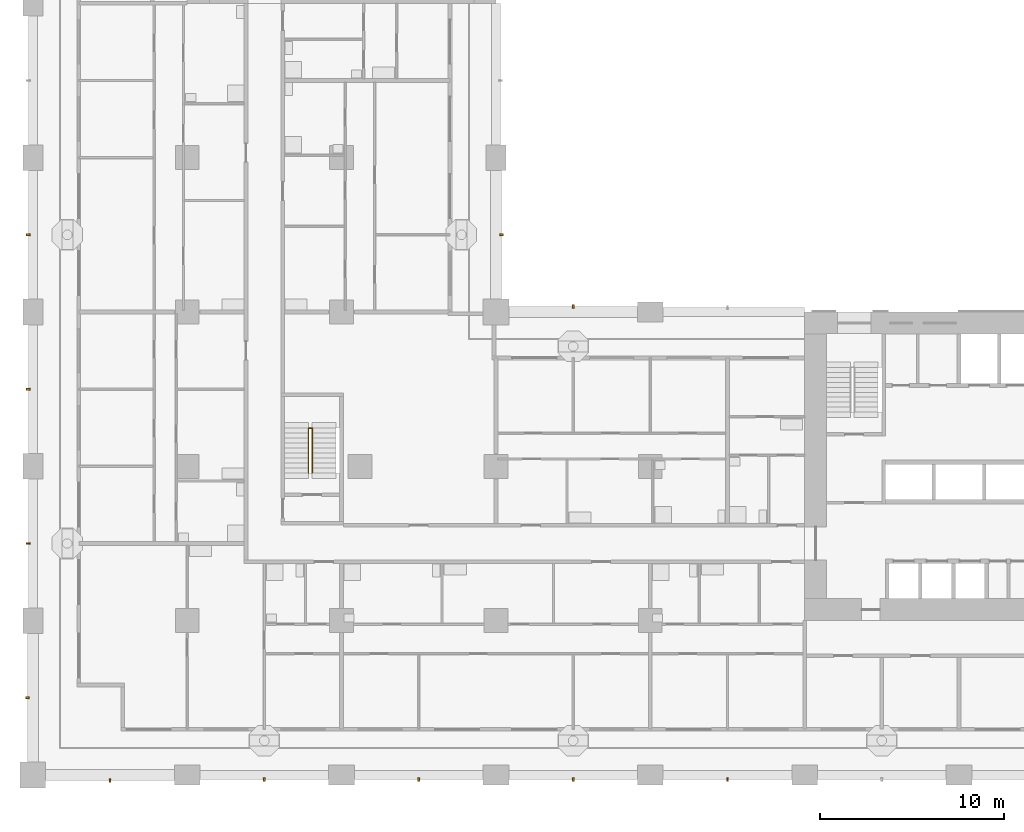
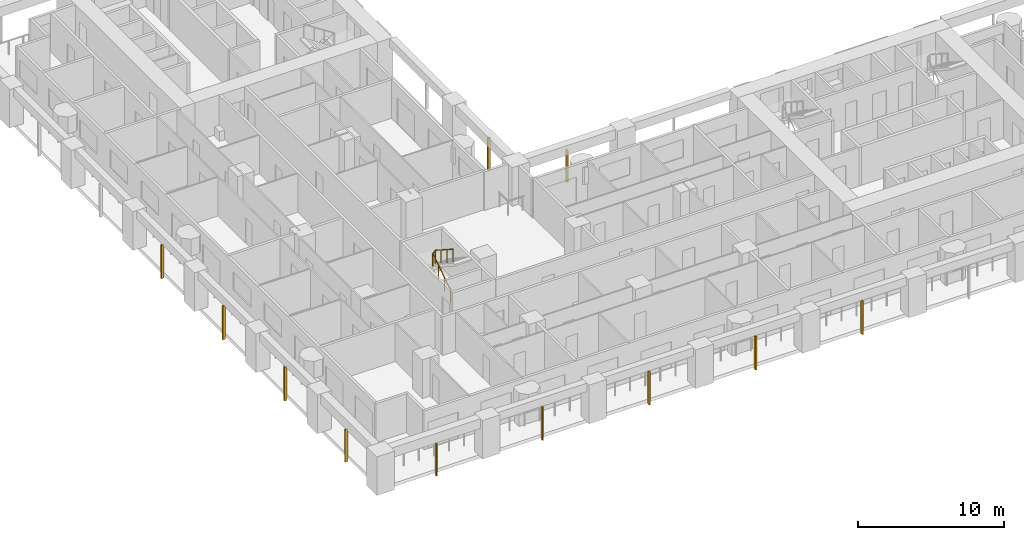
# One storey, part 11 of 20: 11 shading devices, 1 railing.
"""IFC4 building model written with IfcOpenShell, lengths in metres."""

from ifc_helpers import new_model, si_unit, direction, frame, origin, origin_2d, place, context, subcontext, project, spatial, rectangle, circle, extrude, material, material_profile, profile_set, type_object, element, save


model = new_model("IFC4")

# Units and contexts
model_context = context("Model", 3, precision=1e-05, world=origin(), true_north=direction((0.0, 1.0)))
body_context = subcontext(model_context, "Body", "Model", "MODEL_VIEW")
ifc_project = project(units=[si_unit("LENGTHUNIT", "METRE"), si_unit("AREAUNIT", "SQUARE_METRE"), si_unit("VOLUMEUNIT", "CUBIC_METRE"), si_unit("PLANEANGLEUNIT", "RADIAN"), si_unit("MASSUNIT", "GRAM", prefix="KILO")], contexts=[model_context])

# Site, building, storey
site_placement = place(None, origin())
site = spatial("IfcSite", under=ifc_project, at=site_placement, CompositionType="ELEMENT")
building_placement = place(site_placement, origin())
building = spatial("IfcBuilding", under=site, at=building_placement, Name="Vermilion Gate Residences", CompositionType="ELEMENT")
storey_placement = place(building_placement, frame((0.0, 0.0, 39.199951171875)))
storey = spatial("IfcBuildingStorey", under=building, at=storey_placement, Name="L08", CompositionType="ELEMENT", Elevation=39.199951171875)

# Railing
ifc_material_1 = material(Name="Steel S355", Category="steel")
railing_type = type_object("IfcRailingType", Name="STAIR GUARD 1100 STEEL", PredefinedType="GUARDRAIL", material=ifc_material_1)
railing_placement = place(storey_placement, frame((15.0, 16.449951171875, 0.175048828125)))
element("IfcRailing", 1, at=railing_placement, inside=storey, type_object=railing_type, Name="Stair well guard STC1-08", PredefinedType="GUARDRAIL", context=body_context, shape_type="SweptSolid", body=[
    extrude(circle(Radius=0.02392578125, at=origin_2d()), frame((0.0, 0.0, 1.076171875), z_axis=(0.0, 0.839153699163, 0.543894354798), x_axis=(-1.0, 0.0, 0.0)), (0.0, 0.0, 1.0), 2.895751953125),
    extrude(circle(Radius=0.02392578125, at=origin_2d()), frame((0.0, 2.429931640625, 2.65087890625), z_axis=(0.752405939678, 0.0, 0.658699705433), x_axis=(0.0, 1.0, 0.0)), (0.0, 0.0, 1.0), 0.265869140625),
    extrude(circle(Radius=0.02392578125, at=origin_2d()), frame((0.199951171875, 2.429931640625, 2.826171875), z_axis=(0.0, -0.839153699163, 0.543894354798), x_axis=(1.0, 0.0, 0.0)), (0.0, 0.0, 1.0), 2.895751953125),
    extrude(circle(Radius=0.02099609375, at=origin_2d()), origin(), (0.0, 0.0, 1.0), 1.052001953125),
    extrude(circle(Radius=0.02099609375, at=origin_2d()), frame((0.0, 0.81005859375, 0.52490234375)), (0.0, 0.0, 1.0), 1.052001953125),
    extrude(circle(Radius=0.02099609375, at=origin_2d()), frame((0.0, 1.619873046875, 1.050048828125)), (0.0, 0.0, 1.0), 1.052001953125),
    extrude(circle(Radius=0.02099609375, at=origin_2d()), frame((0.0, 2.429931640625, 1.574951171875)), (0.0, 0.0, 1.0), 1.052001953125),
    extrude(circle(Radius=0.02099609375, at=origin_2d()), frame((0.199951171875, 2.429931640625, 1.75)), (0.0, 0.0, 1.0), 1.052001953125),
    extrude(circle(Radius=0.02099609375, at=origin_2d()), frame((0.199951171875, 1.619873046875, 2.27490234375)), (0.0, 0.0, 1.0), 1.052001953125),
    extrude(circle(Radius=0.02099609375, at=origin_2d()), frame((0.199951171875, 0.81005859375, 2.800048828125)), (0.0, 0.0, 1.0), 1.052001953125),
    extrude(circle(Radius=0.02099609375, at=origin_2d()), frame((0.199951171875, 0.0, 3.324951171875)), (0.0, 0.0, 1.0), 1.052001953125),
])

# Shading devices
ifc_material_2 = material(Name="Extruded terracotta", Category="masonry")
ifc_material_profile = material_profile(ifc_material_2, rectangle(XDim=0.199951171875, YDim=0.10009765625, at=origin_2d()), Name="BAGUETTE 100 X 200")
ifc_profile_set = profile_set([ifc_material_profile], Name="Extruded terracotta")
shading_device_type = type_object("IfcShadingDeviceType", Name="TERRACOTTA BAGUETTE 100 X 200", PredefinedType="JALOUSIE", material=ifc_profile_set)
shading_device_placement = place(storey_placement, frame((4.199951171875, -0.300048828125, -0.280029296875), z_axis=(0.0, 0.0, 1.0), x_axis=(0.0, 1.0, 0.0)))
element("IfcShadingDevice", 2, at=shading_device_placement, inside=storey, type_object=shading_device_type, Name="BAGUETTE", PredefinedType="JALOUSIE", context=body_context, shape_type="SweptSolid", body=[
    extrude(rectangle(XDim=0.199951171875, YDim=0.10009765625, at=origin_2d()), origin(), (0.0, 0.0, 1.0), 2.7001953125),
])
for number, where, z_axis, x_axis, name in (
    (3, (12.60009765625, -0.25, -0.280029296875), (0.0, 0.0, 1.0), (0.0, 1.0, 0.0), "BAGUETTE"),
    (4, (21.0, -0.25, -0.280029296875), (0.0, 0.0, 1.0), (0.0, 1.0, 0.0), "BAGUETTE"),
    (5, (29.39990234375, -0.25, -0.280029296875), (0.0, 0.0, 1.0), (0.0, 1.0, 0.0), "BAGUETTE"),
    (6, (37.800048828125, -0.25, -0.280029296875), (0.0, 0.0, 1.0), (0.0, 1.0, 0.0), "BAGUETTE"),
):
    element("IfcShadingDevice", number, at=place(storey_placement, frame(where, z_axis=z_axis, x_axis=x_axis)), inside=storey, type_object=shading_device_type, Name=name, PredefinedType="JALOUSIE", context=body_context, shape_type="SweptSolid", body=[
        extrude(rectangle(XDim=0.199951171875, YDim=0.10009765625, at=origin_2d()), origin(), (0.0, 0.0, 1.0), 2.800048828125),
    ])
for number, where, z_axis, x_axis, name in (
    (7, (29.39990234375, 25.5, -0.280029296875), (0.0, 0.0, 1.0), (0.0, -1.0, 0.0), "BAGUETTE"),
    (8, (25.5, 29.39990234375, -0.280029296875), (0.0, 0.0, 1.0), (-1.0, 0.0, 0.0), "BAGUETTE"),
    (9, (-0.300048828125, 4.199951171875, -0.280029296875), (0.0, 0.0, 1.0), (1.0, 0.0, 0.0), "BAGUETTE"),
):
    element("IfcShadingDevice", number, at=place(storey_placement, frame(where, z_axis=z_axis, x_axis=x_axis)), inside=storey, type_object=shading_device_type, Name=name, PredefinedType="JALOUSIE", context=body_context, shape_type="SweptSolid", body=[
        extrude(rectangle(XDim=0.199951171875, YDim=0.10009765625, at=origin_2d()), origin(), (0.0, 0.0, 1.0), 2.7001953125),
    ])
for number, where, z_axis, x_axis, name in (
    (10, (-0.25, 12.60009765625, -0.280029296875), (0.0, 0.0, 1.0), (1.0, 0.0, 0.0), "BAGUETTE"),
    (11, (-0.25, 21.0, -0.280029296875), (0.0, 0.0, 1.0), (1.0, 0.0, 0.0), "BAGUETTE"),
    (12, (-0.25, 29.39990234375, -0.280029296875), (0.0, 0.0, 1.0), (1.0, 0.0, 0.0), "BAGUETTE"),
):
    element("IfcShadingDevice", number, at=place(storey_placement, frame(where, z_axis=z_axis, x_axis=x_axis)), inside=storey, type_object=shading_device_type, Name=name, PredefinedType="JALOUSIE", context=body_context, shape_type="SweptSolid", body=[
        extrude(rectangle(XDim=0.199951171875, YDim=0.10009765625, at=origin_2d()), origin(), (0.0, 0.0, 1.0), 2.800048828125),
    ])

save(model, "model.ifc")
